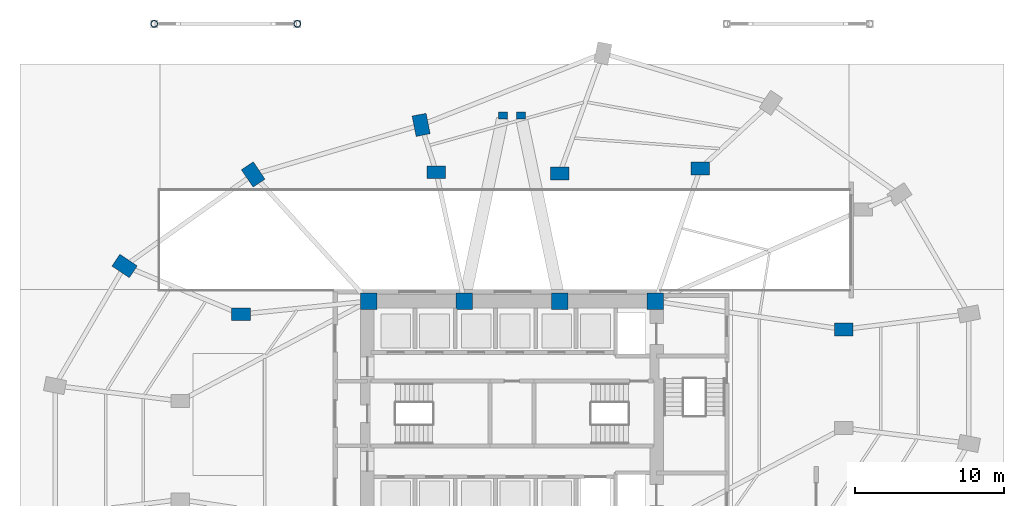
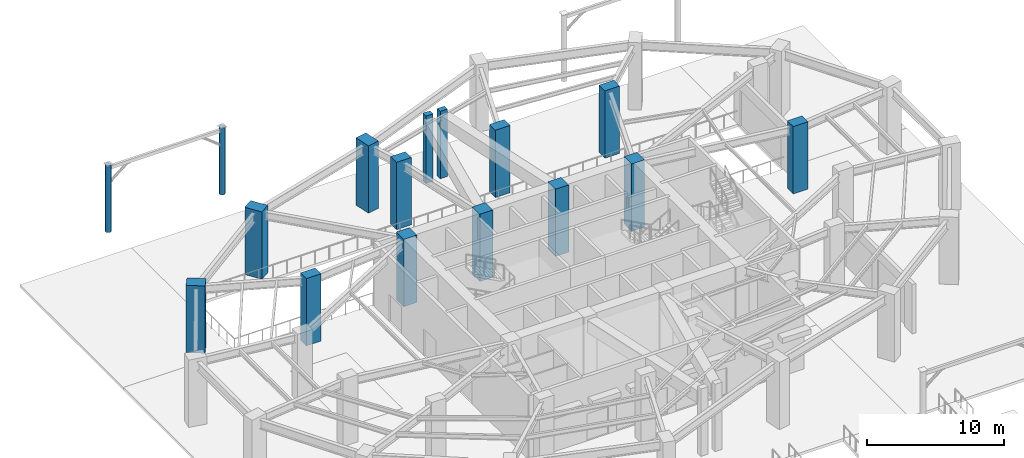
# One storey, part 3 of 14: 16 columns.
"""IFC4 building model written with IfcOpenShell, lengths in metres."""

from ifc_helpers import new_model, si_unit, direction, frame, origin, origin_2d, place, context, subcontext, project, spatial, rectangle, hollow_circle, extrude, material, material_profile, profile_set, type_object, element, save


model = new_model("IFC4")

# Units and contexts
model_context = context("Model", 3, precision=1e-05, world=origin(), true_north=direction((0.0, 1.0)))
body_context = subcontext(model_context, "Body", "Model", "MODEL_VIEW")
ifc_project = project(units=[si_unit("LENGTHUNIT", "METRE"), si_unit("AREAUNIT", "SQUARE_METRE"), si_unit("VOLUMEUNIT", "CUBIC_METRE"), si_unit("PLANEANGLEUNIT", "RADIAN"), si_unit("MASSUNIT", "GRAM", prefix="KILO")], contexts=[model_context])

# Site, building, storey
site_placement = place(None, origin())
site = spatial("IfcSite", under=ifc_project, at=site_placement, CompositionType="ELEMENT")
building_placement = place(site_placement, origin())
building = spatial("IfcBuilding", under=site, at=building_placement, Name="Lazwardi Medical Tower", CompositionType="ELEMENT")
storey_placement = place(building_placement, origin())
storey = spatial("IfcBuildingStorey", under=building, at=storey_placement, Name="L00", CompositionType="ELEMENT", Elevation=0.0)

# Columns
ifc_material_1 = material(Name="Concrete C80/95", Category="concrete")
ifc_material_profile_1 = material_profile(ifc_material_1, rectangle(XDim=1.10009765625, YDim=1.10009765625, at=origin_2d()), Name="RC 1100x1100")
ifc_profile_set_1 = profile_set([ifc_material_profile_1], Name="Concrete C80/95")
column_type_1 = type_object("IfcColumnType", Name="COL-CC-L", PredefinedType="COLUMN", material=ifc_profile_set_1)
for number, where, z_axis, x_axis, name in (
    (1, (45.60009765625, 35.60009765625, 0.0), (0.0, 0.0, 1.0), (1.0, 0.0, 0.0), "Core column CC-01 CC5 L00"),
    (2, (39.199951171875, 35.60009765625, 0.0), (0.0, 0.0, 1.0), (1.0, 0.0, 0.0), "Core column CC-01 CC6 L00"),
    (3, (32.800048828125, 35.60009765625, 0.0), (0.0, 0.0, 1.0), (1.0, 0.0, 0.0), "Core column CC-01 CC7 L00"),
    (4, (26.39990234375, 35.60009765625, 0.0), (0.0, 0.0, 1.0), (1.0, 0.0, 0.0), "Core column CC-01 CC8 L00"),
):
    element("IfcColumn", number, at=place(storey_placement, frame(where, z_axis=z_axis, x_axis=x_axis)), inside=storey, type_object=column_type_1, Name=name, PredefinedType="COLUMN", context=body_context, shape_type="SweptSolid", body=[
        extrude(rectangle(XDim=1.10009765625, YDim=1.10009765625, at=origin_2d()), origin(), (0.0, 0.0, 1.0), 6.0),
    ])
ifc_material_2 = material(Name="Steel S355", Category="steel")
ifc_material_profile_2 = material_profile(ifc_material_2, hollow_circle(Radius=0.228515625, WallThickness=0.02001953125, at=origin_2d()), Name="CHS 457x20")
ifc_profile_set_2 = profile_set([ifc_material_profile_2], Name="Steel S355")
column_type_2 = type_object("IfcColumnType", Name="COL-CN-01", PredefinedType="COLUMN", material=ifc_profile_set_2)
for number, where, z_axis, x_axis, name in (
    (5, (12.0, 54.199951171875, 0.0), (0.0, 0.0, 1.0), (1.0, 0.0, 0.0), "Entrance canopy column CN-C1 CN5"),
    (6, (21.60009765625, 54.199951171875, 0.0), (0.0, 0.0, 1.0), (1.0, 0.0, 0.0), "Entrance canopy column CN-C1 CN6"),
):
    element("IfcColumn", number, at=place(storey_placement, frame(where, z_axis=z_axis, x_axis=x_axis)), inside=storey, type_object=column_type_2, Name=name, PredefinedType="COLUMN", context=body_context, shape_type="SweptSolid", body=[
        extrude(hollow_circle(Radius=0.228515625, WallThickness=0.02001953125, at=origin_2d()), origin(), (0.0, 0.0, 1.0), 5.968017578125),
    ])
ifc_material_profile_3 = material_profile(ifc_material_1, rectangle(XDim=1.39990234375, YDim=0.9599609375, at=origin_2d()), Name="CFT-RECT 1400x960")
ifc_profile_set_3 = profile_set([ifc_material_profile_3], Name="Concrete C80/95")
column_type_3 = type_object("IfcColumnType", Name="COL-MC-B1", PredefinedType="COLUMN", material=ifc_profile_set_3)
for number, where, z_axis, x_axis, name in (
    (7, (29.9033203125, 47.422607421875, 0.0), (0.0, 0.0, 1.0), (-0.195090322016, 0.980785280403, 0.0), "Mega column MC-01 M09 L00"),
    (8, (18.638427734375, 44.10009765625, 0.0), (0.0, 0.0, 1.0), (-0.55557023302, 0.831469612303, 0.0), "Mega column MC-01 M10 L00"),
    (9, (10.0166015625, 37.96142578125, 0.0), (0.0, 0.0, 1.0), (-0.831469612303, 0.55557023302, 0.0), "Mega column MC-01 M11 L00"),
):
    element("IfcColumn", number, at=place(storey_placement, frame(where, z_axis=z_axis, x_axis=x_axis)), inside=storey, type_object=column_type_3, Name=name, PredefinedType="COLUMN", context=body_context, shape_type="SweptSolid", body=[
        extrude(rectangle(XDim=1.39990234375, YDim=0.9599609375, at=origin_2d()), origin(), (0.0, 0.0, 1.0), 6.0),
    ])
ifc_material_3 = material(Name="Concrete C70/85", Category="concrete")
ifc_material_profile_4 = material_profile(ifc_material_3, rectangle(XDim=1.25, YDim=0.860107421875, at=origin_2d()), Name="CFT-RECT 1250x860")
ifc_profile_set_4 = profile_set([ifc_material_profile_4], Name="Concrete C70/85")
column_type_4 = type_object("IfcColumnType", Name="COL-MC-Z1", PredefinedType="COLUMN", material=ifc_profile_set_4)
for number, where, z_axis, x_axis, name in (
    (10, (58.262939453125, 33.7060546875, 0.0), (0.0, 0.0, 1.0), (1.0, 0.0, 0.0), "Mega column MC-03 PM05 L00"),
    (11, (48.634033203125, 44.510009765625, 0.0), (0.0, 0.0, 1.0), (1.0, 0.0, 0.0), "Mega column MC-03 PM07 L00"),
    (12, (39.199951171875, 44.175048828125, 0.0), (0.0, 0.0, 1.0), (1.0, 0.0, 0.0), "Mega column MC-03 PM08 L00"),
    (13, (30.919921875, 44.25, 0.0), (0.0, 0.0, 1.0), (1.0, 0.0, 0.0), "Mega column MC-03 PM09 L00"),
    (14, (17.822998046875, 34.72412109375, 0.0), (0.0, 0.0, 1.0), (1.0, 0.0, 0.0), "Mega column MC-03 PM11 L00"),
):
    element("IfcColumn", number, at=place(storey_placement, frame(where, z_axis=z_axis, x_axis=x_axis)), inside=storey, type_object=column_type_4, Name=name, PredefinedType="COLUMN", context=body_context, shape_type="SweptSolid", body=[
        extrude(rectangle(XDim=1.25, YDim=0.860107421875, at=origin_2d()), origin(), (0.0, 0.0, 1.0), 6.0),
    ])
ifc_material_4 = material(Name="Concrete C60/75", Category="concrete")
ifc_material_profile_5 = material_profile(ifc_material_4, rectangle(XDim=0.60009765625, YDim=0.449951171875, at=origin_2d()), Name="RC 600x450")
ifc_profile_set_5 = profile_set([ifc_material_profile_5], Name="Concrete C60/75")
column_type_5 = type_object("IfcColumnType", Name="COL-PL-IW", PredefinedType="PILASTER", material=ifc_profile_set_5)
for number, where, z_axis, x_axis, name in (
    (15, (35.39990234375, 48.050048828125, 0.0), (0.0, 0.0, 1.0), (1.0, 0.0, 0.0), "Iwan pilaster column PL-C1 PL1 L00"),
    (16, (36.60009765625, 48.050048828125, 0.0), (0.0, 0.0, 1.0), (1.0, 0.0, 0.0), "Iwan pilaster column PL-C1 PL2 L00"),
):
    element("IfcColumn", number, at=place(storey_placement, frame(where, z_axis=z_axis, x_axis=x_axis)), inside=storey, type_object=column_type_5, Name=name, PredefinedType="PILASTER", context=body_context, shape_type="SweptSolid", body=[
        extrude(rectangle(XDim=0.60009765625, YDim=0.449951171875, at=origin_2d()), origin(), (0.0, 0.0, 1.0), 6.0),
    ])

save(model, "model.ifc")
